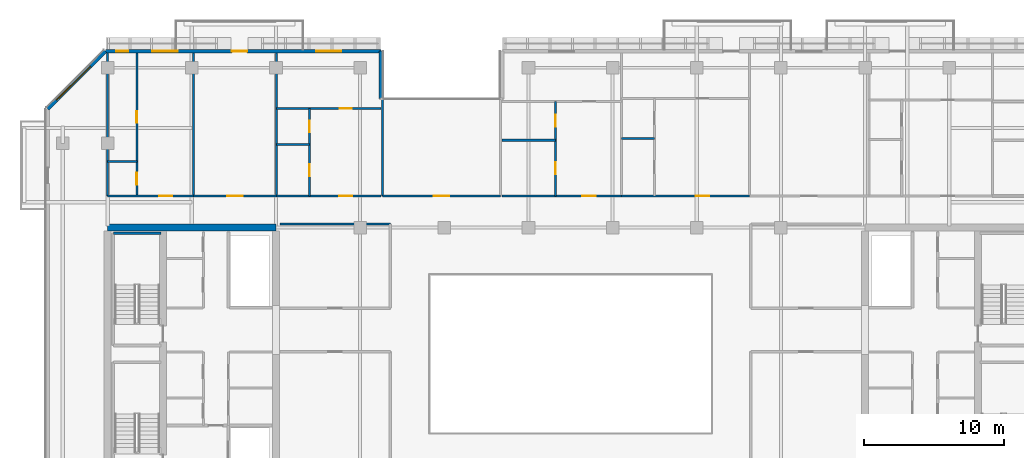
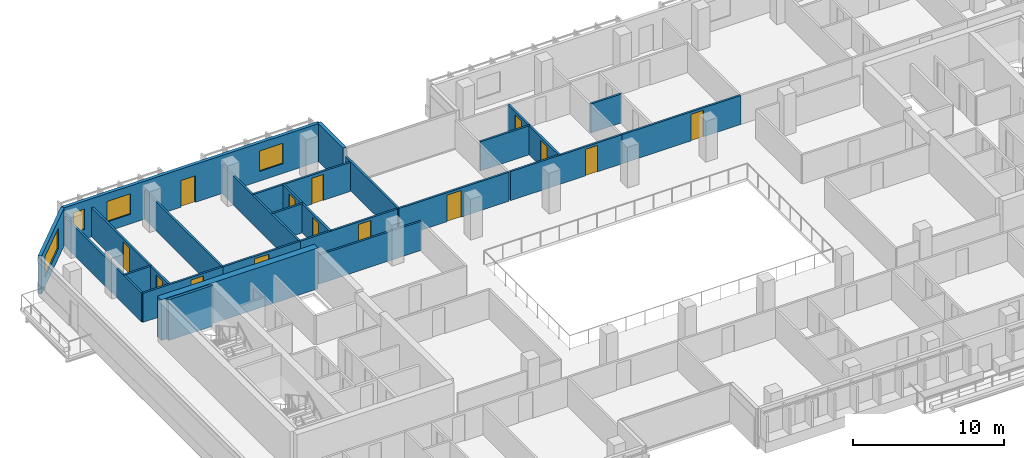
# One storey, part 12 of 21: 24 walls, 14 doors, 4 windows, 18 openings.
"""IFC4 building model written with IfcOpenShell, lengths in metres."""

from ifc_helpers import new_model, si_unit, direction, frame, frame_2d, origin, place, context, subcontext, project, spatial, rectangle, extrude, material, layer, layer_set, type_object, element, fill, save


model = new_model("IFC4")

# Units and contexts
model_context = context("Model", 3, precision=1e-05, world=origin(), true_north=direction((0.0, 1.0)))
body_context = subcontext(model_context, "Body", "Model", "MODEL_VIEW")
ifc_project = project(units=[si_unit("LENGTHUNIT", "METRE"), si_unit("AREAUNIT", "SQUARE_METRE"), si_unit("VOLUMEUNIT", "CUBIC_METRE"), si_unit("PLANEANGLEUNIT", "RADIAN"), si_unit("MASSUNIT", "GRAM", prefix="KILO")], contexts=[model_context])

# Site, building, storey
site_placement = place(None, origin())
site = spatial("IfcSite", under=ifc_project, at=site_placement, CompositionType="ELEMENT")
building_placement = place(site_placement, origin())
building = spatial("IfcBuilding", under=site, at=building_placement, Name="Tanjung Sevakor Pilgrim Tower", CompositionType="ELEMENT")
storey_placement = place(building_placement, frame((0.0, 0.0, 145.199951171875)))
storey = spatial("IfcBuildingStorey", under=building, at=storey_placement, Name="L40", CompositionType="ELEMENT", Elevation=145.199951171875)

# Walls
ifc_material_1 = material(Name="Concrete C60/75", Category="concrete")
ifc_layer_1 = layer(ifc_material_1, 0.5)
ifc_layer_set_1 = layer_set([ifc_layer_1], Name="WALL-CW-500")
wall_type_1 = type_object("IfcWallType", Name="WALL-CW-500", PredefinedType="SHEAR", material=ifc_layer_set_1)
wall_1_placement = place(storey_placement, frame((36.0, 42.60009765625, 0.0), z_axis=(0.0, 0.0, 1.0), x_axis=(-1.0, 0.0, 0.0)))
element("IfcWall", 1, at=wall_1_placement, inside=storey, type_object=wall_type_1, Name="L40 W Core North Shear Wall", PredefinedType="SHEAR", context=body_context, shape_type="SweptSolid", body=[
    extrude(rectangle(XDim=12.0, YDim=0.5, at=frame_2d((6.0, 0.0))), origin(), (0.0, 0.0, 1.0), 3.300048828125),
])
ifc_material_2 = material(Name="Concrete C40/50", Category="concrete")
ifc_layer_2 = layer(ifc_material_2, 0.14990234375)
ifc_layer_set_2 = layer_set([ifc_layer_2], Name="WT-COMP-150")
wall_type_2 = type_object("IfcWallType", Name="WT-COMP-150", PredefinedType="SOLIDWALL", material=ifc_layer_set_2)
wall_2_placement = place(storey_placement, frame((36.27001953125, 42.85009765625, 0.0), z_axis=(0.0, 0.0, 1.0), x_axis=(1.0, 0.0, 0.0)))
element("IfcWall", 2, at=wall_2_placement, inside=storey, type_object=wall_type_2, Name="L40 Partition IW-L40-031", PredefinedType="SOLIDWALL", context=body_context, shape_type="SweptSolid", body=[
    extrude(rectangle(XDim=7.8798828125, YDim=0.14990234375, at=frame_2d((3.93994140625, 0.0))), origin(), (0.0, 0.0, 1.0), 2.35009765625),
])

# Wall, opening, door
wall_3_placement = place(storey_placement, frame((43.60009765625, 44.85009765625, 0.0), z_axis=(0.0, 0.0, 1.0), x_axis=(1.0, 0.0, 0.0)))
wall_3 = element("IfcWall", 3, at=wall_3_placement, inside=storey, type_object=wall_type_2, Name="L40 Partition IW-L40-042", PredefinedType="SOLIDWALL", context=body_context, shape_type="SweptSolid", body=[
    extrude(rectangle(XDim=8.39990234375, YDim=0.14990234375, at=frame_2d((4.199951171875, 0.0))), origin(), (0.0, 0.0, 1.0), 2.35009765625),
])
opening_1_placement = place(wall_3_placement, frame((3.64990234375, 0.0, 0.0)))
opening_1 = element("IfcOpeningElement", 4, at=opening_1_placement, cuts=wall_3, Name="Opening ID-RM2", PredefinedType="OPENING", context=body_context, shape_type="SweptSolid", body=[
    extrude(rectangle(XDim=1.10009765625, YDim=2.14990234375, at=frame_2d((0.550048828125, 1.074951171875))), frame((0.0, 0.0849609375, 0.0), z_axis=(0.0, -1.0, 0.0), x_axis=(1.0, 0.0, 0.0)), (0.0, 0.0, 1.0), 0.169921875),
])
ifc_material_3 = material(Name="Hardwood Timber", Category="wood")
door_type_1 = type_object("IfcDoorType", Name="DT-INT-1100", OperationType="NOTDEFINED", PredefinedType="DOOR", material=ifc_material_3)
door_1_placement = place(opening_1_placement, origin())
door_1 = element("IfcDoor", 5, at=door_1_placement, inside=storey, type_object=door_type_1, Name="L40 North Cleft Seminar Room Door", OperationType="SINGLE_SWING_RIGHT", OverallHeight=2.14990234375, OverallWidth=1.10009765625, PredefinedType="DOOR", context=body_context, shape_type="SweptSolid", body=[
    extrude(rectangle(XDim=1.10009765625, YDim=2.14990234375, at=frame_2d((0.550048828125, 1.074951171875))), frame((0.0, 0.02490234375, 0.0), z_axis=(0.0, -1.0, 0.0), x_axis=(1.0, 0.0, 0.0)), (0.0, 0.0, 1.0), 0.050048828125),
])
fill(opening_1, door_1)

# Walls
for number, where, z_axis, x_axis, name in (
    (6, (43.60009765625, 44.85009765625, 0.0), (0.0, 0.0, 1.0), (0.0, 1.0, 0.0), "L40 Partition IW-L40-043"),
    (7, (24.0, 44.85009765625, 0.0), (0.0, 0.0, 1.0), (0.0, 1.0, 0.0), "L40 Partition IW-L40-075"),
    (8, (30.119384765625, 44.85009765625, 0.0), (0.0, 0.0, 1.0), (0.0, 1.0, 0.0), "L40 Partition IW-L40-076"),
):
    element("IfcWall", number, at=place(storey_placement, frame(where, z_axis=z_axis, x_axis=x_axis)), inside=storey, type_object=wall_type_2, Name=name, PredefinedType="SOLIDWALL", context=body_context, shape_type="SweptSolid", body=[
        extrude(rectangle(XDim=10.199951171875, YDim=0.14990234375, at=frame_2d((5.10009765625, 0.0))), origin(), (0.0, 0.0, 1.0), 2.35009765625),
    ])

# Wall, opening, door
wall_4_placement = place(storey_placement, frame((24.0, 44.85009765625, 0.0), z_axis=(0.0, 0.0, 1.0), x_axis=(1.0, 0.0, 0.0)))
wall_4 = element("IfcWall", 9, at=wall_4_placement, inside=storey, type_object=wall_type_2, Name="L40 Partition IW-L40-079", PredefinedType="SOLIDWALL", context=body_context, shape_type="SweptSolid", body=[
    extrude(rectangle(XDim=6.119384765625, YDim=0.14990234375, at=frame_2d((3.0595703125, 0.0))), origin(), (0.0, 0.0, 1.0), 2.35009765625),
])
opening_2_placement = place(wall_4_placement, frame((3.6650390625, 0.0, 0.0)))
opening_2 = element("IfcOpeningElement", 10, at=opening_2_placement, cuts=wall_4, Name="Opening ID-FD2", PredefinedType="OPENING", context=body_context, shape_type="SweptSolid", body=[
    extrude(rectangle(XDim=0.949951171875, YDim=2.14990234375, at=frame_2d((0.47509765625, 1.074951171875))), frame((0.0, 0.0849609375, 0.0), z_axis=(0.0, -1.0, 0.0), x_axis=(1.0, 0.0, 0.0)), (0.0, 0.0, 1.0), 0.169921875),
])
ifc_material_4 = material(Name="Fire-Rated Timber", Category="wood")
door_type_2 = type_object("IfcDoorType", Name="DT-FIRE-950", OperationType="NOTDEFINED", PredefinedType="DOOR", material=ifc_material_4)
door_2_placement = place(opening_2_placement, origin())
door_2 = element("IfcDoor", 11, at=door_2_placement, inside=storey, type_object=door_type_2, Name="Hotel Guestroom Entrance", OperationType="SINGLE_SWING_LEFT", OverallHeight=2.14990234375, OverallWidth=0.949951171875, PredefinedType="DOOR", context=body_context, shape_type="SweptSolid", body=[
    extrude(rectangle(XDim=0.949951171875, YDim=2.14990234375, at=frame_2d((0.47509765625, 1.074951171875))), frame((0.0, 0.02490234375, 0.0), z_axis=(0.0, -1.0, 0.0), x_axis=(1.0, 0.0, 0.0)), (0.0, 0.0, 1.0), 0.050048828125),
])
fill(opening_2, door_2)

# Wall
wall_5_placement = place(storey_placement, frame((36.034912109375, 44.85009765625, 0.0), z_axis=(0.0, 0.0, 1.0), x_axis=(0.0, 1.0, 0.0)))
element("IfcWall", 12, at=wall_5_placement, inside=storey, type_object=wall_type_2, Name="L40 Partition IW-L40-080", PredefinedType="SOLIDWALL", context=body_context, shape_type="SweptSolid", body=[
    extrude(rectangle(XDim=10.199951171875, YDim=0.14990234375, at=frame_2d((5.10009765625, 0.0))), origin(), (0.0, 0.0, 1.0), 2.35009765625),
])

# Wall, opening, door
wall_6_placement = place(storey_placement, frame((30.119384765625, 44.85009765625, 0.0), z_axis=(0.0, 0.0, 1.0), x_axis=(1.0, 0.0, 0.0)))
wall_6 = element("IfcWall", 13, at=wall_6_placement, inside=storey, type_object=wall_type_2, Name="L40 Partition IW-L40-081", PredefinedType="SOLIDWALL", context=body_context, shape_type="SweptSolid", body=[
    extrude(rectangle(XDim=5.91552734375, YDim=0.14990234375, at=frame_2d((2.957763671875, 0.0))), origin(), (0.0, 0.0, 1.0), 2.35009765625),
])
opening_3_placement = place(wall_6_placement, frame((2.40771484375, 0.0, 0.0)))
opening_3 = element("IfcOpeningElement", 14, at=opening_3_placement, cuts=wall_6, Name="Opening ID-FD0", PredefinedType="OPENING", context=body_context, shape_type="SweptSolid", body=[
    extrude(rectangle(XDim=1.10009765625, YDim=2.14990234375, at=frame_2d((0.550048828125, 1.074951171875))), frame((0.0, 0.0849609375, 0.0), z_axis=(0.0, -1.0, 0.0), x_axis=(1.0, 0.0, 0.0)), (0.0, 0.0, 1.0), 0.169921875),
])
ifc_material_5 = material(Name="Fire-Rated Steel S355J2", Category="steel")
door_type_3 = type_object("IfcDoorType", Name="DT-FIRE-1100", OperationType="NOTDEFINED", PredefinedType="DOOR", material=ifc_material_5)
door_3_placement = place(opening_3_placement, origin())
door_3 = element("IfcDoor", 15, at=door_3_placement, inside=storey, type_object=door_type_3, Name="Seminar Room Door", OperationType="SINGLE_SWING_RIGHT", OverallHeight=2.14990234375, OverallWidth=1.10009765625, PredefinedType="DOOR", context=body_context, shape_type="SweptSolid", body=[
    extrude(rectangle(XDim=1.10009765625, YDim=2.14990234375, at=frame_2d((0.550048828125, 1.074951171875))), frame((0.0, 0.02490234375, 0.0), z_axis=(0.0, -1.0, 0.0), x_axis=(1.0, 0.0, 0.0)), (0.0, 0.0, 1.0), 0.050048828125),
])
fill(opening_3, door_3)

wall_7_placement = place(storey_placement, frame((36.034912109375, 44.85009765625, 0.0), z_axis=(0.0, 0.0, 1.0), x_axis=(1.0, 0.0, 0.0)))
wall_7 = element("IfcWall", 16, at=wall_7_placement, inside=storey, type_object=wall_type_2, Name="L40 Partition IW-L40-085", PredefinedType="SOLIDWALL", context=body_context, shape_type="SweptSolid", body=[
    extrude(rectangle(XDim=7.445068359375, YDim=0.14990234375, at=frame_2d((3.72265625, 0.0))), origin(), (0.0, 0.0, 1.0), 2.35009765625),
])
opening_4_placement = place(wall_7_placement, frame((4.462646484375, 0.0, 0.0)))
opening_4 = element("IfcOpeningElement", 17, at=opening_4_placement, cuts=wall_7, Name="Opening ID-FD2", PredefinedType="OPENING", context=body_context, shape_type="SweptSolid", body=[
    extrude(rectangle(XDim=0.949951171875, YDim=2.14990234375, at=frame_2d((0.47509765625, 1.074951171875))), frame((0.0, 0.0849609375, 0.0), z_axis=(0.0, -1.0, 0.0), x_axis=(1.0, 0.0, 0.0)), (0.0, 0.0, 1.0), 0.169921875),
])
door_4_placement = place(opening_4_placement, origin())
door_4 = element("IfcDoor", 18, at=door_4_placement, inside=storey, type_object=door_type_2, Name="Residence Entrance", OperationType="SINGLE_SWING_RIGHT", OverallHeight=2.14990234375, OverallWidth=0.949951171875, PredefinedType="DOOR", context=body_context, shape_type="SweptSolid", body=[
    extrude(rectangle(XDim=0.949951171875, YDim=2.14990234375, at=frame_2d((0.47509765625, 1.074951171875))), frame((0.0, 0.02490234375, 0.0), z_axis=(0.0, -1.0, 0.0), x_axis=(1.0, 0.0, 0.0)), (0.0, 0.0, 1.0), 0.050048828125),
])
fill(opening_4, door_4)

wall_8_placement = place(storey_placement, frame((52.1201171875, 44.85009765625, 0.0), z_axis=(0.0, 0.0, 1.0), x_axis=(1.0, 0.0, 0.0)))
wall_8 = element("IfcWall", 19, at=wall_8_placement, inside=storey, type_object=wall_type_2, Name="L40 Partition IW-L40-091", PredefinedType="SOLIDWALL", context=body_context, shape_type="SweptSolid", body=[
    extrude(rectangle(XDim=8.51953125, YDim=0.14990234375, at=frame_2d((4.259765625, 0.0))), origin(), (0.0, 0.0, 1.0), 2.35009765625),
])
opening_5_placement = place(wall_8_placement, frame((5.724853515625, 0.0, 0.0)))
opening_5 = element("IfcOpeningElement", 20, at=opening_5_placement, cuts=wall_8, Name="Opening ID-FD2", PredefinedType="OPENING", context=body_context, shape_type="SweptSolid", body=[
    extrude(rectangle(XDim=0.949951171875, YDim=2.14990234375, at=frame_2d((0.47509765625, 1.074951171875))), frame((0.0, 0.0849609375, 0.0), z_axis=(0.0, -1.0, 0.0), x_axis=(1.0, 0.0, 0.0)), (0.0, 0.0, 1.0), 0.169921875),
])
door_5_placement = place(opening_5_placement, origin())
door_5 = element("IfcDoor", 21, at=door_5_placement, inside=storey, type_object=door_type_2, Name="Residence Entrance", OperationType="SINGLE_SWING_RIGHT", OverallHeight=2.14990234375, OverallWidth=0.949951171875, PredefinedType="DOOR", context=body_context, shape_type="SweptSolid", body=[
    extrude(rectangle(XDim=0.949951171875, YDim=2.14990234375, at=frame_2d((0.47509765625, 1.074951171875))), frame((0.0, 0.02490234375, 0.0), z_axis=(0.0, -1.0, 0.0), x_axis=(1.0, 0.0, 0.0)), (0.0, 0.0, 1.0), 0.050048828125),
])
fill(opening_5, door_5)

wall_9_placement = place(storey_placement, frame((60.6396484375, 44.85009765625, 0.0), z_axis=(0.0, 0.0, 1.0), x_axis=(1.0, 0.0, 0.0)))
wall_9 = element("IfcWall", 22, at=wall_9_placement, inside=storey, type_object=wall_type_2, Name="L40 Partition IW-L40-096", PredefinedType="SOLIDWALL", context=body_context, shape_type="SweptSolid", body=[
    extrude(rectangle(XDim=9.107421875, YDim=0.14990234375, at=frame_2d((4.5537109375, 0.0))), origin(), (0.0, 0.0, 1.0), 2.35009765625),
])
opening_6_placement = place(wall_9_placement, frame((5.293701171875, 0.0, 0.0)))
opening_6 = element("IfcOpeningElement", 23, at=opening_6_placement, cuts=wall_9, Name="Opening ID-FD2", PredefinedType="OPENING", context=body_context, shape_type="SweptSolid", body=[
    extrude(rectangle(XDim=0.949951171875, YDim=2.14990234375, at=frame_2d((0.47509765625, 1.074951171875))), frame((0.0, 0.0849609375, 0.0), z_axis=(0.0, -1.0, 0.0), x_axis=(1.0, 0.0, 0.0)), (0.0, 0.0, 1.0), 0.169921875),
])
door_6_placement = place(opening_6_placement, origin())
door_6 = element("IfcDoor", 24, at=door_6_placement, inside=storey, type_object=door_type_2, Name="Residence Entrance", OperationType="SINGLE_SWING_RIGHT", OverallHeight=2.14990234375, OverallWidth=0.949951171875, PredefinedType="DOOR", context=body_context, shape_type="SweptSolid", body=[
    extrude(rectangle(XDim=0.949951171875, YDim=2.14990234375, at=frame_2d((0.47509765625, 1.074951171875))), frame((0.0, 0.02490234375, 0.0), z_axis=(0.0, -1.0, 0.0), x_axis=(1.0, 0.0, 0.0)), (0.0, 0.0, 1.0), 0.050048828125),
])
fill(opening_6, door_6)

# Wall
ifc_material_6 = material(Name="Precast concrete C45/55", Category="concrete")
ifc_layer_3 = layer(ifc_material_6, 0.25)
ifc_layer_set_3 = layer_set([ifc_layer_3], Name="WT-EW-STN3")
wall_type_3 = type_object("IfcWallType", Name="WT-EW-STN3", PredefinedType="SOLIDWALL", material=ifc_layer_set_3)
wall_10_placement = place(storey_placement, frame((43.47509765625, 51.77490234375, 0.0), z_axis=(0.0, 0.0, 1.0), x_axis=(0.0, 1.0, 0.0)))
element("IfcWall", 25, at=wall_10_placement, inside=storey, type_object=wall_type_3, Name="L40 MAIN Exterior Wall 12", PredefinedType="SOLIDWALL", context=body_context, shape_type="SweptSolid", body=[
    extrude(rectangle(XDim=3.400146484375, YDim=0.25, at=frame_2d((1.7001953125, 0.0))), origin(), (0.0, 0.0, 1.0), 3.080078125),
])

# Wall, openings, door, windows
wall_11_placement = place(storey_placement, frame((43.47509765625, 55.175048828125, 0.0), z_axis=(0.0, 0.0, 1.0), x_axis=(-1.0, 0.0, 0.0)))
wall_11 = element("IfcWall", 26, at=wall_11_placement, inside=storey, type_object=wall_type_3, Name="L40 MAIN Exterior Wall 13", PredefinedType="SOLIDWALL", context=body_context, shape_type="SweptSolid", body=[
    extrude(rectangle(XDim=19.623291015625, YDim=0.25, at=frame_2d((9.8115234375, 0.0))), origin(), (0.0, 0.0, 1.0), 3.080078125),
])
opening_7_placement = place(wall_11_placement, frame((9.52490234375, 0.0, 0.0)))
opening_7 = element("IfcOpeningElement", 27, at=opening_7_placement, cuts=wall_11, Name="Opening ED-BAL-1100", PredefinedType="OPENING", context=body_context, shape_type="SweptSolid", body=[
    extrude(rectangle(XDim=1.10009765625, YDim=2.14990234375, at=frame_2d((0.550048828125, 1.074951171875))), frame((0.0, 0.135009765625, 0.0), z_axis=(0.0, -1.0, 0.0), x_axis=(1.0, 0.0, 0.0)), (0.0, 0.0, 1.0), 0.27001953125),
])
opening_8_placement = place(wall_11_placement, frame((17.999755859375, 0.0, 0.780029296875)))
opening_8 = element("IfcOpeningElement", 28, at=opening_8_placement, cuts=wall_11, Name="Opening WN-SLM", PredefinedType="OPENING", context=body_context, shape_type="SweptSolid", body=[
    extrude(rectangle(XDim=0.85009765625, YDim=1.64990234375, at=frame_2d((0.425048828125, 0.824951171875))), frame((0.0, 0.135009765625, 0.0), z_axis=(0.0, -1.0, 0.0), x_axis=(1.0, 0.0, 0.0)), (0.0, 0.0, 1.0), 0.27001953125),
])
opening_9_placement = place(wall_11_placement, frame((14.485107421875, 0.0, 0.780029296875)))
opening_9 = element("IfcOpeningElement", 29, at=opening_9_placement, cuts=wall_11, Name="Opening WN-Z3-1660", PredefinedType="OPENING", context=body_context, shape_type="SweptSolid", body=[
    extrude(rectangle(XDim=1.800048828125, YDim=1.659912109375, at=frame_2d((0.89990234375, 0.830078125))), frame((0.0, 0.135009765625, 0.0), z_axis=(0.0, -1.0, 0.0), x_axis=(1.0, 0.0, 0.0)), (0.0, 0.0, 1.0), 0.27001953125),
])
opening_10_placement = place(wall_11_placement, frame((2.817626953125, 0.0, 0.780029296875)))
opening_10 = element("IfcOpeningElement", 30, at=opening_10_placement, cuts=wall_11, Name="Opening WN-Z3-1660", PredefinedType="OPENING", context=body_context, shape_type="SweptSolid", body=[
    extrude(rectangle(XDim=1.800048828125, YDim=1.659912109375, at=frame_2d((0.89990234375, 0.830078125))), frame((0.0, 0.135009765625, 0.0), z_axis=(0.0, -1.0, 0.0), x_axis=(1.0, 0.0, 0.0)), (0.0, 0.0, 1.0), 0.27001953125),
])
ifc_material_7 = material(Name="Anodised Aluminium and Laminated Glass", Category="aluminium")
door_type_4 = type_object("IfcDoorType", Name="DTYP-ED-BAL-1100", OperationType="NOTDEFINED", PredefinedType="DOOR", material=ifc_material_7)
door_7_placement = place(opening_7_placement, frame((1.10009765625, 0.0, 0.0), z_axis=(0.0, 0.0, 1.0), x_axis=(-1.0, 0.0, 0.0)))
door_7 = element("IfcDoor", 31, at=door_7_placement, inside=storey, type_object=door_type_4, Name="L40 Balcony Door MAIN-N1", OperationType="SINGLE_SWING_RIGHT", OverallHeight=2.14990234375, OverallWidth=1.10009765625, PredefinedType="DOOR", context=body_context, shape_type="SweptSolid", body=[
    extrude(rectangle(XDim=1.10009765625, YDim=2.14990234375, at=frame_2d((0.550048828125, 1.074951171875))), frame((0.0, 0.02490234375, 0.0), z_axis=(0.0, -1.0, 0.0), x_axis=(1.0, 0.0, 0.0)), (0.0, 0.0, 1.0), 0.050048828125),
])
fill(opening_7, door_7)
ifc_material_8 = material(Name="Thermally Broken Aluminium and Low-E Glass", Category="aluminium")
window_type_1 = type_object("IfcWindowType", Name="WTYP-WN-SLM", PartitioningType="SINGLE_PANEL", PredefinedType="WINDOW", material=ifc_material_8)
window_1_placement = place(opening_8_placement, origin())
window_1 = element("IfcWindow", 32, at=window_1_placement, inside=storey, type_object=window_type_1, Name="L40 Facade Window 01", OverallHeight=1.64990234375, OverallWidth=0.85009765625, PartitioningType="SINGLE_PANEL", PredefinedType="WINDOW", context=body_context, shape_type="SweptSolid", body=[
    extrude(rectangle(XDim=0.85009765625, YDim=1.64990234375, at=frame_2d((0.425048828125, 0.824951171875))), frame((0.0, 0.030029296875, 0.0), z_axis=(0.0, -1.0, 0.0), x_axis=(1.0, 0.0, 0.0)), (0.0, 0.0, 1.0), 0.06005859375),
])
fill(opening_8, window_1)
ifc_material_9 = material(Name="Thermally Broken Aluminium and Low-E Glass", Category="aluminium")
window_type_2 = type_object("IfcWindowType", Name="WTYP-WN-Z3-1660", PartitioningType="DOUBLE_PANEL_VERTICAL", PredefinedType="WINDOW", material=ifc_material_9)
window_2_placement = place(opening_9_placement, origin())
window_2 = element("IfcWindow", 33, at=window_2_placement, inside=storey, type_object=window_type_2, Name="L40 Facade Window 02", OverallHeight=1.659912109375, OverallWidth=1.800048828125, PartitioningType="SINGLE_PANEL", PredefinedType="WINDOW", context=body_context, shape_type="SweptSolid", body=[
    extrude(rectangle(XDim=1.800048828125, YDim=1.659912109375, at=frame_2d((0.89990234375, 0.830078125))), frame((0.0, 0.030029296875, 0.0), z_axis=(0.0, -1.0, 0.0), x_axis=(1.0, 0.0, 0.0)), (0.0, 0.0, 1.0), 0.06005859375),
])
fill(opening_9, window_2)
window_3_placement = place(opening_10_placement, origin())
window_3 = element("IfcWindow", 34, at=window_3_placement, inside=storey, type_object=window_type_2, Name="L40 Facade Window 03", OverallHeight=1.659912109375, OverallWidth=1.800048828125, PartitioningType="SINGLE_PANEL", PredefinedType="WINDOW", context=body_context, shape_type="SweptSolid", body=[
    extrude(rectangle(XDim=1.800048828125, YDim=1.659912109375, at=frame_2d((0.89990234375, 0.830078125))), frame((0.0, 0.030029296875, 0.0), z_axis=(0.0, -1.0, 0.0), x_axis=(1.0, 0.0, 0.0)), (0.0, 0.0, 1.0), 0.06005859375),
])
fill(opening_10, window_3)

# Wall, opening, window
wall_12_placement = place(storey_placement, frame((23.851806640625, 55.175048828125, 0.0), z_axis=(0.0, 0.0, 1.0), x_axis=(-0.70708586489, -0.707127696864, 0.0)))
wall_12 = element("IfcWall", 35, at=wall_12_placement, inside=storey, type_object=wall_type_3, Name="L40 MAIN Sculpted Corner Wall 13", PredefinedType="SOLIDWALL", context=body_context, shape_type="SweptSolid", body=[
    extrude(rectangle(XDim=5.836181640625, YDim=0.25, at=frame_2d((2.91796875, 0.0))), origin(), (0.0, 0.0, 1.0), 3.080078125),
])
opening_11_placement = place(wall_12_placement, frame((1.5380859375, 0.0, 0.780029296875)))
opening_11 = element("IfcOpeningElement", 36, at=opening_11_placement, cuts=wall_12, Name="Opening WN-CHM-1660", PredefinedType="OPENING", context=body_context, shape_type="SweptSolid", body=[
    extrude(rectangle(XDim=3.39990234375, YDim=1.659912109375, at=frame_2d((1.699951171875, 0.830078125))), frame((0.0, 0.135009765625, 0.0), z_axis=(0.0, -1.0, 0.0), x_axis=(1.0, 0.0, 0.0)), (0.0, 0.0, 1.0), 0.27001953125),
])
ifc_material_10 = material(Name="Thermally Broken Aluminium and Low-E Glass", Category="aluminium")
window_type_3 = type_object("IfcWindowType", Name="WTYP-WN-CHM-1660", PartitioningType="DOUBLE_PANEL_VERTICAL", PredefinedType="WINDOW", material=ifc_material_10)
window_4_placement = place(opening_11_placement, origin())
window_4 = element("IfcWindow", 37, at=window_4_placement, inside=storey, type_object=window_type_3, Name="L40 Facade Window 01", OverallHeight=1.659912109375, OverallWidth=3.39990234375, PartitioningType="SINGLE_PANEL", PredefinedType="WINDOW", context=body_context, shape_type="SweptSolid", body=[
    extrude(rectangle(XDim=3.39990234375, YDim=1.659912109375, at=frame_2d((1.699951171875, 0.830078125))), frame((0.0, 0.030029296875, 0.0), z_axis=(0.0, -1.0, 0.0), x_axis=(1.0, 0.0, 0.0)), (0.0, 0.0, 1.0), 0.06005859375),
])
fill(opening_11, window_4)

# Walls
ifc_material_11 = material(Name="Concrete C40/50", Category="concrete")
ifc_layer_4 = layer(ifc_material_11, 0.199951171875)
ifc_layer_set_4 = layer_set([ifc_layer_4], Name="WT-FIRE-200")
wall_type_4 = type_object("IfcWallType", Name="WT-FIRE-200", PredefinedType="SOLIDWALL", material=ifc_layer_set_4)
wall_13_placement = place(storey_placement, frame((27.800048828125, 42.199951171875, 0.0), z_axis=(0.0, 0.0, 1.0), x_axis=(-1.0, 0.0, 0.0)))
element("IfcWall", 38, at=wall_13_placement, inside=storey, type_object=wall_type_4, Name="L40 TS-W2 Shaft Wall 2", PredefinedType="SOLIDWALL", context=body_context, shape_type="SweptSolid", body=[
    extrude(rectangle(XDim=3.400146484375, YDim=0.199951171875, at=frame_2d((1.7001953125, 0.0))), origin(), (0.0, 0.0, 1.0), 3.300048828125),
])
ifc_material_12 = material(Name="Gypsum Board Partition", Category="gypsum board")
ifc_layer_5 = layer(ifc_material_12, 0.14990234375)
ifc_layer_set_5 = layer_set([ifc_layer_5], Name="WT-PART-150")
wall_type_5 = type_object("IfcWallType", Name="WT-PART-150", PredefinedType="PARTITIONING", material=ifc_layer_set_5)
wall_14_placement = place(storey_placement, frame((24.0, 47.300048828125, 0.0), z_axis=(0.0, 0.0, 1.0), x_axis=(1.0, 0.0, 0.0)))
element("IfcWall", 39, at=wall_14_placement, inside=storey, type_object=wall_type_5, Name="L40 Partition IW-L40-077", PredefinedType="PARTITIONING", context=body_context, shape_type="SweptSolid", body=[
    extrude(rectangle(XDim=2.08056640625, YDim=0.14990234375, at=frame_2d((1.040283203125, 0.0))), origin(), (0.0, 0.0, 1.0), 2.35009765625),
])

# Wall, openings, doors
wall_15_placement = place(storey_placement, frame((26.08056640625, 44.85009765625, 0.0), z_axis=(0.0, 0.0, 1.0), x_axis=(0.0, 1.0, 0.0)))
wall_15 = element("IfcWall", 40, at=wall_15_placement, inside=storey, type_object=wall_type_5, Name="L40 Partition IW-L40-078", PredefinedType="PARTITIONING", context=body_context, shape_type="SweptSolid", body=[
    extrude(rectangle(XDim=10.199951171875, YDim=0.14990234375, at=frame_2d((5.10009765625, 0.0))), origin(), (0.0, 0.0, 1.0), 2.35009765625),
])
opening_12_placement = place(wall_15_placement, frame((0.800048828125, 0.0, 0.0)))
opening_12 = element("IfcOpeningElement", 41, at=opening_12_placement, cuts=wall_15, Name="Opening ID-WC1", PredefinedType="OPENING", context=body_context, shape_type="SweptSolid", body=[
    extrude(rectangle(XDim=0.85009765625, YDim=2.10009765625, at=frame_2d((0.425048828125, 1.050048828125))), frame((0.0, 0.0849609375, 0.0), z_axis=(0.0, -1.0, 0.0), x_axis=(1.0, 0.0, 0.0)), (0.0, 0.0, 1.0), 0.169921875),
])
opening_13_placement = place(wall_15_placement, frame((5.2099609375, 0.0, 0.0)))
opening_13 = element("IfcOpeningElement", 42, at=opening_13_placement, cuts=wall_15, Name="Opening ID-WC1", PredefinedType="OPENING", context=body_context, shape_type="SweptSolid", body=[
    extrude(rectangle(XDim=0.85009765625, YDim=2.10009765625, at=frame_2d((0.425048828125, 1.050048828125))), frame((0.0, 0.0849609375, 0.0), z_axis=(0.0, -1.0, 0.0), x_axis=(1.0, 0.0, 0.0)), (0.0, 0.0, 1.0), 0.169921875),
])
ifc_material_13 = material(Name="Moisture-Resistant Timber", Category="wood")
door_type_5 = type_object("IfcDoorType", Name="DT-INT-850", OperationType="NOTDEFINED", PredefinedType="DOOR", material=ifc_material_13)
door_8_placement = place(opening_12_placement, origin())
door_8 = element("IfcDoor", 43, at=door_8_placement, inside=storey, type_object=door_type_5, Name="Bathroom Door", OperationType="SINGLE_SWING_LEFT", OverallHeight=2.10009765625, OverallWidth=0.85009765625, PredefinedType="DOOR", context=body_context, shape_type="SweptSolid", body=[
    extrude(rectangle(XDim=0.85009765625, YDim=2.10009765625, at=frame_2d((0.425048828125, 1.050048828125))), frame((0.0, 0.02490234375, 0.0), z_axis=(0.0, -1.0, 0.0), x_axis=(1.0, 0.0, 0.0)), (0.0, 0.0, 1.0), 0.050048828125),
])
fill(opening_12, door_8)
door_9_placement = place(opening_13_placement, origin())
door_9 = element("IfcDoor", 44, at=door_9_placement, inside=storey, type_object=door_type_5, Name="Study Nook Door", OperationType="SINGLE_SWING_RIGHT", OverallHeight=2.10009765625, OverallWidth=0.85009765625, PredefinedType="DOOR", context=body_context, shape_type="SweptSolid", body=[
    extrude(rectangle(XDim=0.85009765625, YDim=2.10009765625, at=frame_2d((0.425048828125, 1.050048828125))), frame((0.0, 0.02490234375, 0.0), z_axis=(0.0, -1.0, 0.0), x_axis=(1.0, 0.0, 0.0)), (0.0, 0.0, 1.0), 0.050048828125),
])
fill(opening_13, door_9)

# Wall
wall_16_placement = place(storey_placement, frame((36.034912109375, 48.5302734375, 0.0), z_axis=(0.0, 0.0, 1.0), x_axis=(1.0, 0.0, 0.0)))
element("IfcWall", 45, at=wall_16_placement, inside=storey, type_object=wall_type_5, Name="L40 Partition IW-L40-082", PredefinedType="PARTITIONING", context=body_context, shape_type="SweptSolid", body=[
    extrude(rectangle(XDim=2.349853515625, YDim=0.14990234375, at=frame_2d((1.1748046875, 0.0))), origin(), (0.0, 0.0, 1.0), 2.35009765625),
])

# Wall, openings, doors
wall_17_placement = place(storey_placement, frame((38.384765625, 44.85009765625, 0.0), z_axis=(0.0, 0.0, 1.0), x_axis=(0.0, 1.0, 0.0)))
wall_17 = element("IfcWall", 46, at=wall_17_placement, inside=storey, type_object=wall_type_5, Name="L40 Partition IW-L40-083", PredefinedType="PARTITIONING", context=body_context, shape_type="SweptSolid", body=[
    extrude(rectangle(XDim=6.237548828125, YDim=0.14990234375, at=frame_2d((3.11865234375, 0.0))), origin(), (0.0, 0.0, 1.0), 2.35009765625),
])
opening_14_placement = place(wall_17_placement, frame((1.4150390625, 0.0, 0.0)))
opening_14 = element("IfcOpeningElement", 47, at=opening_14_placement, cuts=wall_17, Name="Opening ID-WC1", PredefinedType="OPENING", context=body_context, shape_type="SweptSolid", body=[
    extrude(rectangle(XDim=0.85009765625, YDim=2.10009765625, at=frame_2d((0.425048828125, 1.050048828125))), frame((0.0, 0.0849609375, 0.0), z_axis=(0.0, -1.0, 0.0), x_axis=(1.0, 0.0, 0.0)), (0.0, 0.0, 1.0), 0.169921875),
])
opening_15_placement = place(wall_17_placement, frame((4.533935546875, 0.0, 0.0)))
opening_15 = element("IfcOpeningElement", 48, at=opening_15_placement, cuts=wall_17, Name="Opening ID-WC1", PredefinedType="OPENING", context=body_context, shape_type="SweptSolid", body=[
    extrude(rectangle(XDim=0.85009765625, YDim=2.10009765625, at=frame_2d((0.425048828125, 1.050048828125))), frame((0.0, 0.0849609375, 0.0), z_axis=(0.0, -1.0, 0.0), x_axis=(1.0, 0.0, 0.0)), (0.0, 0.0, 1.0), 0.169921875),
])
door_10_placement = place(opening_14_placement, origin())
door_10 = element("IfcDoor", 49, at=door_10_placement, inside=storey, type_object=door_type_5, Name="Residence Kitchenette Door", OperationType="SINGLE_SWING_LEFT", OverallHeight=2.10009765625, OverallWidth=0.85009765625, PredefinedType="DOOR", context=body_context, shape_type="SweptSolid", body=[
    extrude(rectangle(XDim=0.85009765625, YDim=2.10009765625, at=frame_2d((0.425048828125, 1.050048828125))), frame((0.0, 0.02490234375, 0.0), z_axis=(0.0, -1.0, 0.0), x_axis=(1.0, 0.0, 0.0)), (0.0, 0.0, 1.0), 0.050048828125),
])
fill(opening_14, door_10)
door_11_placement = place(opening_15_placement, origin())
door_11 = element("IfcDoor", 50, at=door_11_placement, inside=storey, type_object=door_type_5, Name="Residence Bathroom Door", OperationType="SINGLE_SWING_RIGHT", OverallHeight=2.10009765625, OverallWidth=0.85009765625, PredefinedType="DOOR", context=body_context, shape_type="SweptSolid", body=[
    extrude(rectangle(XDim=0.85009765625, YDim=2.10009765625, at=frame_2d((0.425048828125, 1.050048828125))), frame((0.0, 0.02490234375, 0.0), z_axis=(0.0, -1.0, 0.0), x_axis=(1.0, 0.0, 0.0)), (0.0, 0.0, 1.0), 0.050048828125),
])
fill(opening_15, door_11)

# Wall, opening, door
wall_18_placement = place(storey_placement, frame((36.034912109375, 51.087646484375, 0.0), z_axis=(0.0, 0.0, 1.0), x_axis=(1.0, 0.0, 0.0)))
wall_18 = element("IfcWall", 51, at=wall_18_placement, inside=storey, type_object=wall_type_5, Name="L40 Partition IW-L40-084", PredefinedType="PARTITIONING", context=body_context, shape_type="SweptSolid", body=[
    extrude(rectangle(XDim=7.445068359375, YDim=0.14990234375, at=frame_2d((3.72265625, 0.0))), origin(), (0.0, 0.0, 1.0), 2.35009765625),
])
opening_16_placement = place(wall_18_placement, frame((4.5126953125, 0.0, 0.0)))
opening_16 = element("IfcOpeningElement", 52, at=opening_16_placement, cuts=wall_18, Name="Opening ID-WC1", PredefinedType="OPENING", context=body_context, shape_type="SweptSolid", body=[
    extrude(rectangle(XDim=0.85009765625, YDim=2.10009765625, at=frame_2d((0.425048828125, 1.050048828125))), frame((0.0, 0.0849609375, 0.0), z_axis=(0.0, -1.0, 0.0), x_axis=(1.0, 0.0, 0.0)), (0.0, 0.0, 1.0), 0.169921875),
])
door_12_placement = place(opening_16_placement, origin())
door_12 = element("IfcDoor", 53, at=door_12_placement, inside=storey, type_object=door_type_5, Name="Residence Bedroom Door", OperationType="SINGLE_SWING_LEFT", OverallHeight=2.10009765625, OverallWidth=0.85009765625, PredefinedType="DOOR", context=body_context, shape_type="SweptSolid", body=[
    extrude(rectangle(XDim=0.85009765625, YDim=2.10009765625, at=frame_2d((0.425048828125, 1.050048828125))), frame((0.0, 0.02490234375, 0.0), z_axis=(0.0, -1.0, 0.0), x_axis=(1.0, 0.0, 0.0)), (0.0, 0.0, 1.0), 0.050048828125),
])
fill(opening_16, door_12)

# Wall
wall_19_placement = place(storey_placement, frame((52.1201171875, 48.8251953125, 0.0), z_axis=(0.0, 0.0, 1.0), x_axis=(1.0, 0.0, 0.0)))
element("IfcWall", 54, at=wall_19_placement, inside=storey, type_object=wall_type_5, Name="L40 Partition IW-L40-088", PredefinedType="PARTITIONING", context=body_context, shape_type="SweptSolid", body=[
    extrude(rectangle(XDim=3.7998046875, YDim=0.14990234375, at=frame_2d((1.89990234375, 0.0))), origin(), (0.0, 0.0, 1.0), 2.35009765625),
])

# Wall, openings, doors
wall_20_placement = place(storey_placement, frame((55.919921875, 44.85009765625, 0.0), z_axis=(0.0, 0.0, 1.0), x_axis=(0.0, 1.0, 0.0)))
wall_20 = element("IfcWall", 55, at=wall_20_placement, inside=storey, type_object=wall_type_5, Name="L40 Partition IW-L40-089", PredefinedType="PARTITIONING", context=body_context, shape_type="SweptSolid", body=[
    extrude(rectangle(XDim=6.7373046875, YDim=0.14990234375, at=frame_2d((3.36865234375, 0.0))), origin(), (0.0, 0.0, 1.0), 2.35009765625),
])
opening_17_placement = place(wall_20_placement, frame((1.5625, 0.0, 0.0)))
opening_17 = element("IfcOpeningElement", 56, at=opening_17_placement, cuts=wall_20, Name="Opening ID-WC1", PredefinedType="OPENING", context=body_context, shape_type="SweptSolid", body=[
    extrude(rectangle(XDim=0.85009765625, YDim=2.10009765625, at=frame_2d((0.425048828125, 1.050048828125))), frame((0.0, 0.0849609375, 0.0), z_axis=(0.0, -1.0, 0.0), x_axis=(1.0, 0.0, 0.0)), (0.0, 0.0, 1.0), 0.169921875),
])
opening_18_placement = place(wall_20_placement, frame((4.93115234375, 0.0, 0.0)))
opening_18 = element("IfcOpeningElement", 57, at=opening_18_placement, cuts=wall_20, Name="Opening ID-WC1", PredefinedType="OPENING", context=body_context, shape_type="SweptSolid", body=[
    extrude(rectangle(XDim=0.85009765625, YDim=2.10009765625, at=frame_2d((0.425048828125, 1.050048828125))), frame((0.0, 0.0849609375, 0.0), z_axis=(0.0, -1.0, 0.0), x_axis=(1.0, 0.0, 0.0)), (0.0, 0.0, 1.0), 0.169921875),
])
door_13_placement = place(opening_17_placement, origin())
door_13 = element("IfcDoor", 58, at=door_13_placement, inside=storey, type_object=door_type_5, Name="Residence Kitchenette Door", OperationType="SINGLE_SWING_LEFT", OverallHeight=2.10009765625, OverallWidth=0.85009765625, PredefinedType="DOOR", context=body_context, shape_type="SweptSolid", body=[
    extrude(rectangle(XDim=0.85009765625, YDim=2.10009765625, at=frame_2d((0.425048828125, 1.050048828125))), frame((0.0, 0.02490234375, 0.0), z_axis=(0.0, -1.0, 0.0), x_axis=(1.0, 0.0, 0.0)), (0.0, 0.0, 1.0), 0.050048828125),
])
fill(opening_17, door_13)
door_14_placement = place(opening_18_placement, origin())
door_14 = element("IfcDoor", 59, at=door_14_placement, inside=storey, type_object=door_type_5, Name="Residence Bathroom Door", OperationType="SINGLE_SWING_RIGHT", OverallHeight=2.10009765625, OverallWidth=0.85009765625, PredefinedType="DOOR", context=body_context, shape_type="SweptSolid", body=[
    extrude(rectangle(XDim=0.85009765625, YDim=2.10009765625, at=frame_2d((0.425048828125, 1.050048828125))), frame((0.0, 0.02490234375, 0.0), z_axis=(0.0, -1.0, 0.0), x_axis=(1.0, 0.0, 0.0)), (0.0, 0.0, 1.0), 0.050048828125),
])
fill(opening_18, door_14)

# Wall
wall_21_placement = place(storey_placement, frame((60.6396484375, 48.956787109375, 0.0), z_axis=(0.0, 0.0, 1.0), x_axis=(1.0, 0.0, 0.0)))
element("IfcWall", 60, at=wall_21_placement, inside=storey, type_object=wall_type_5, Name="L40 Partition IW-L40-093", PredefinedType="PARTITIONING", context=body_context, shape_type="SweptSolid", body=[
    extrude(rectangle(XDim=2.35009765625, YDim=0.14990234375, at=frame_2d((1.175048828125, 0.0))), origin(), (0.0, 0.0, 1.0), 2.35009765625),
])

save(model, "model.ifc")
